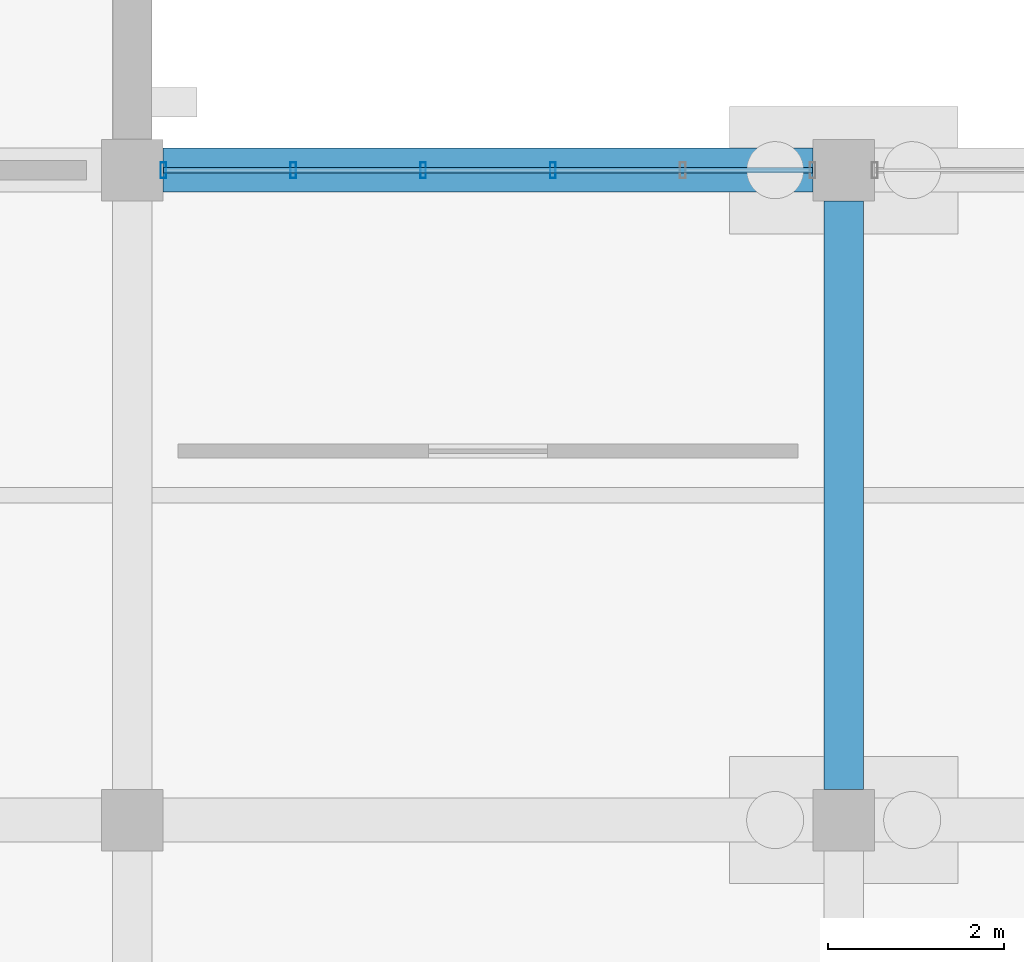
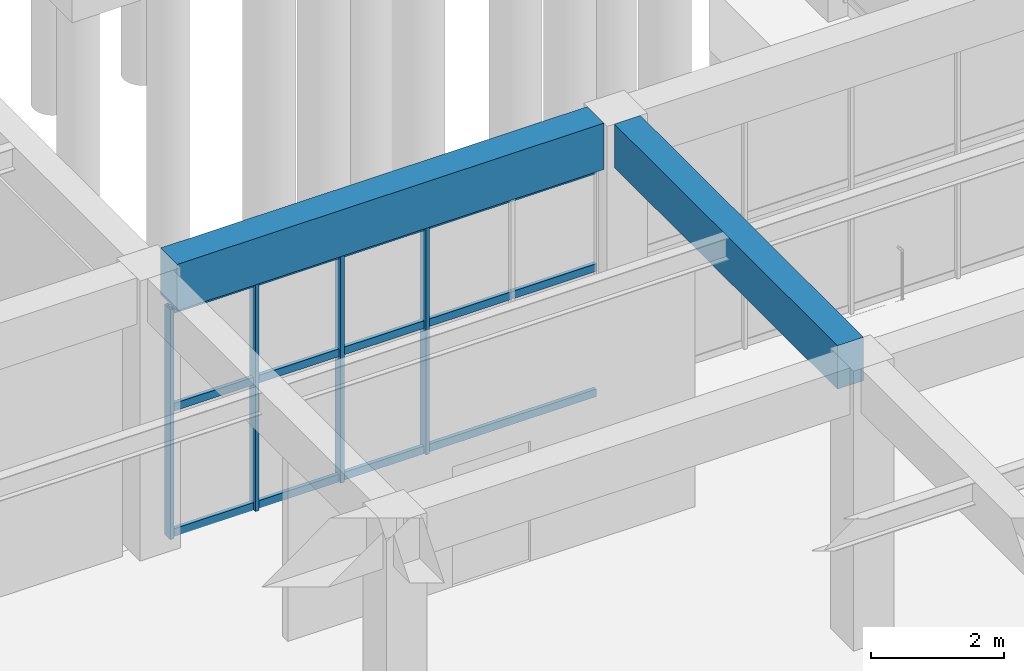
# One storey, part 91 of 140: 7 members, 2 beams, 1 element without a shape of its own.
"""IFC4 building model written with IfcOpenShell, lengths in metres."""

from ifc_helpers import new_model, si_unit, direction, frame, origin, origin_2d, place, context, subcontext, project, spatial, rectangle, hollow_rectangle, extrude, material, material_profile, profile_set, type_object, element, aggregate, save


model = new_model("IFC4")

# Units and contexts
model_context = context("Model", 3, precision=1e-05, world=origin(), true_north=direction((0.0, 1.0)))
body_context = subcontext(model_context, "Body", "Model", "MODEL_VIEW")
ifc_project = project(units=[si_unit("LENGTHUNIT", "METRE"), si_unit("AREAUNIT", "SQUARE_METRE"), si_unit("VOLUMEUNIT", "CUBIC_METRE"), si_unit("PLANEANGLEUNIT", "RADIAN"), si_unit("MASSUNIT", "GRAM", prefix="KILO")], contexts=[model_context])

# Site, building, storey
site_placement = place(None, origin())
site = spatial("IfcSite", under=ifc_project, at=site_placement, CompositionType="ELEMENT")
building_placement = place(site_placement, origin())
building = spatial("IfcBuilding", under=site, at=building_placement, Name="Cimatlan Art Gallery", CompositionType="ELEMENT")
storey_placement = place(building_placement, origin())
storey = spatial("IfcBuildingStorey", under=building, at=storey_placement, Name="L00", CompositionType="ELEMENT", Elevation=0.0)

# Beams
ifc_material_1 = material(Name="Concrete C40/50", Category="concrete")
ifc_material_profile_1 = material_profile(ifc_material_1, rectangle(XDim=0.449951171875, YDim=0.800048828125, at=origin_2d()), Name="RC450X800")
ifc_profile_set_1 = profile_set([ifc_material_profile_1], Name="Concrete C40/50")
beam_type_1 = type_object("IfcBeamType", Name="BM-RC-450X800", PredefinedType="BEAM", material=ifc_profile_set_1)
beam_1_placement = place(storey_placement, frame((139.699951171875, 31.64990234375, 4.735107421875), z_axis=(0.0, 1.0, 0.0), x_axis=(-1.0, 0.0, 0.0)))
element("IfcBeam", 1, at=beam_1_placement, inside=storey, type_object=beam_type_1, Name="BM-Y-L00-17-04", PredefinedType="BEAM", context=body_context, shape_type="SweptSolid", body=[
    extrude(rectangle(XDim=0.449951171875, YDim=0.800048828125, at=origin_2d()), origin(), (0.0, 0.0, 1.0), 6.7001953125),
])
ifc_material_profile_2 = material_profile(ifc_material_1, rectangle(XDim=0.5, YDim=0.85009765625, at=origin_2d()), Name="RC500X850")
ifc_profile_set_2 = profile_set([ifc_material_profile_2], Name="Concrete C40/50")
beam_type_2 = type_object("IfcBeamType", Name="BM-RC-500X850", PredefinedType="BEAM", material=ifc_profile_set_2)
beam_2_placement = place(storey_placement, frame((131.949951171875, 38.699951171875, 4.7099609375), z_axis=(1.0, 0.0, 0.0), x_axis=(0.0, 1.0, 0.0)))
element("IfcBeam", 2, at=beam_2_placement, inside=storey, type_object=beam_type_2, Name="BM-X-L00-16-05", PredefinedType="BEAM", context=body_context, shape_type="SweptSolid", body=[
    extrude(rectangle(XDim=0.5, YDim=0.85009765625, at=origin_2d()), origin(), (0.0, 0.0, 1.0), 7.400146484375),
])

# Curtain wall, members
ifc_material_2 = material(Name="Anodised bronze unitised curtain wall")
curtain_wall_type = type_object("IfcCurtainWallType", Name="CW-V-07392X04210-B5", PredefinedType="NOTDEFINED", material=ifc_material_2)
curtain_wall_placement = place(storey_placement, origin())
curtain_wall = element("IfcCurtainWall", 3, at=curtain_wall_placement, inside=storey, type_object=curtain_wall_type, Name="CW-L00-16-04-N", PredefinedType="NOTDEFINED")
ifc_material_3 = material(Name="Anodised bronze aluminium 6063-T6", Category="aluminium")
ifc_material_profile_3 = material_profile(ifc_material_3, hollow_rectangle(XDim=0.06494140625, YDim=0.179931640625, WallThickness=0.00390625, at=origin_2d()), Name="ALU65X180X4")
ifc_profile_set_3 = profile_set([ifc_material_profile_3], Name="Anodised bronze aluminium 6063-T6")
member_type_1 = type_object("IfcMemberType", Name="CW-MUL-180", PredefinedType="MULLION", material=ifc_profile_set_3)
member_1_placement = place(storey_placement, frame((131.9541015625, 38.699951171875, 0.0), z_axis=(0.0, 0.0, 1.0), x_axis=(1.0, 0.0, 0.0)))
member_1 = element("IfcMember", 4, at=member_1_placement, type_object=member_type_1, Name="CW-L00-16-04-N-M1", PredefinedType="MULLION", context=body_context, shape_type="SweptSolid", body=[
    extrude(hollow_rectangle(XDim=0.06494140625, YDim=0.179931640625, WallThickness=0.00390625, at=origin_2d()), origin(), (0.0, 0.0, 1.0), 4.2099609375),
])
member_2_placement = place(storey_placement, frame((133.432373046875, 38.699951171875, 0.0), z_axis=(0.0, 0.0, 1.0), x_axis=(1.0, 0.0, 0.0)))
member_2 = element("IfcMember", 5, at=member_2_placement, type_object=member_type_1, Name="CW-L00-16-04-N-M2", PredefinedType="MULLION", context=body_context, shape_type="SweptSolid", body=[
    extrude(hollow_rectangle(XDim=0.06494140625, YDim=0.179931640625, WallThickness=0.00390625, at=origin_2d()), origin(), (0.0, 0.0, 1.0), 4.2099609375),
])
member_3_placement = place(storey_placement, frame((134.910888671875, 38.699951171875, 0.0), z_axis=(0.0, 0.0, 1.0), x_axis=(1.0, 0.0, 0.0)))
member_3 = element("IfcMember", 6, at=member_3_placement, type_object=member_type_1, Name="CW-L00-16-04-N-M3", PredefinedType="MULLION", context=body_context, shape_type="SweptSolid", body=[
    extrude(hollow_rectangle(XDim=0.06494140625, YDim=0.179931640625, WallThickness=0.00390625, at=origin_2d()), origin(), (0.0, 0.0, 1.0), 4.2099609375),
])
member_4_placement = place(storey_placement, frame((136.38916015625, 38.699951171875, 0.0), z_axis=(0.0, 0.0, 1.0), x_axis=(1.0, 0.0, 0.0)))
member_4 = element("IfcMember", 7, at=member_4_placement, type_object=member_type_1, Name="CW-L00-16-04-N-M4", PredefinedType="MULLION", context=body_context, shape_type="SweptSolid", body=[
    extrude(hollow_rectangle(XDim=0.06494140625, YDim=0.179931640625, WallThickness=0.00390625, at=origin_2d()), origin(), (0.0, 0.0, 1.0), 4.2099609375),
])
ifc_material_profile_4 = material_profile(ifc_material_3, hollow_rectangle(XDim=0.06494140625, YDim=0.139892578125, WallThickness=0.00390625, at=origin_2d()), Name="ALU65X140X4")
ifc_profile_set_4 = profile_set([ifc_material_profile_4], Name="Anodised bronze aluminium 6063-T6")
member_type_2 = type_object("IfcMemberType", Name="CW-TRN-140", PredefinedType="USERDEFINED", material=ifc_profile_set_4)
member_5_placement = place(storey_placement, frame((131.9541015625, 38.699951171875, 0.06005859375), z_axis=(1.0, 0.0, 0.0), x_axis=(0.0, 1.0, 0.0)))
member_5 = element("IfcMember", 8, at=member_5_placement, type_object=member_type_2, Name="CW-L00-16-04-N-T1", ObjectType="TRANSOM", PredefinedType="USERDEFINED", context=body_context, shape_type="SweptSolid", body=[
    extrude(hollow_rectangle(XDim=0.06494140625, YDim=0.139892578125, WallThickness=0.00390625, at=origin_2d()), origin(), (0.0, 0.0, 1.0), 7.391845703125),
])
member_6_placement = place(storey_placement, frame((131.9541015625, 38.699951171875, 2.357666015625), z_axis=(1.0, 0.0, 0.0), x_axis=(0.0, 1.0, 0.0)))
member_6 = element("IfcMember", 9, at=member_6_placement, type_object=member_type_2, Name="CW-L00-16-04-N-T2", ObjectType="TRANSOM", PredefinedType="USERDEFINED", context=body_context, shape_type="SweptSolid", body=[
    extrude(hollow_rectangle(XDim=0.06494140625, YDim=0.139892578125, WallThickness=0.00390625, at=origin_2d()), origin(), (0.0, 0.0, 1.0), 7.391845703125),
])
member_7_placement = place(storey_placement, frame((131.9541015625, 38.699951171875, 4.14990234375), z_axis=(1.0, 0.0, 0.0), x_axis=(0.0, 1.0, 0.0)))
member_7 = element("IfcMember", 10, at=member_7_placement, type_object=member_type_2, Name="CW-L00-16-04-N-T3", ObjectType="TRANSOM", PredefinedType="USERDEFINED", context=body_context, shape_type="SweptSolid", body=[
    extrude(hollow_rectangle(XDim=0.06494140625, YDim=0.139892578125, WallThickness=0.00390625, at=origin_2d()), origin(), (0.0, 0.0, 1.0), 7.391845703125),
])
aggregate(curtain_wall, [member_1, member_2, member_3, member_4, member_5, member_6, member_7])

save(model, "model.ifc")
